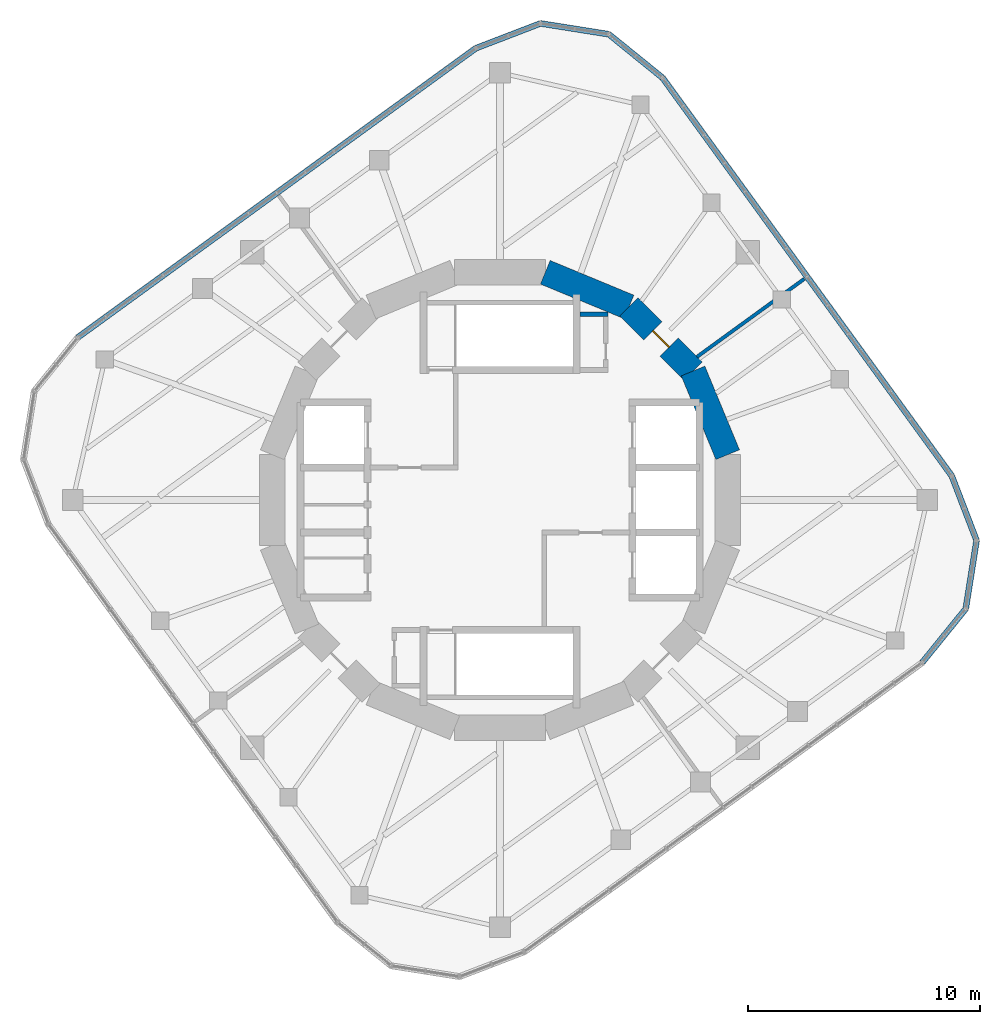
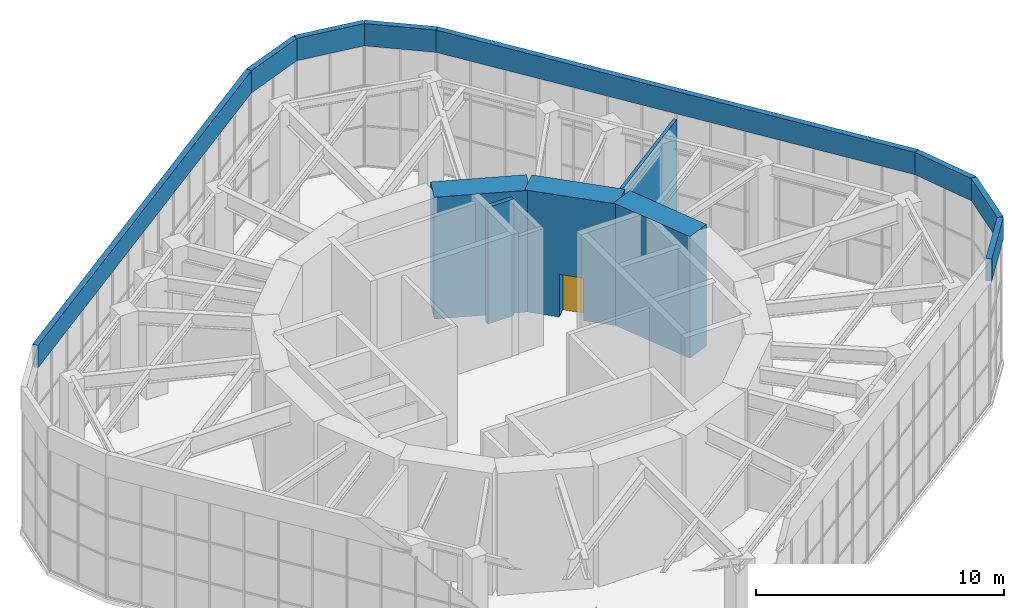
# One storey, part 16 of 17: 13 walls, 1 door, 1 opening.
"""IFC4 building model written with IfcOpenShell, lengths in metres."""

from ifc_helpers import new_model, si_unit, direction, frame, frame_2d, origin, place, context, subcontext, project, spatial, rectangle, extrude, material, layer, layer_set, type_object, element, fill, save


model = new_model("IFC4")

# Units and contexts
model_context = context("Model", 3, precision=1e-05, world=origin(), true_north=direction((0.0, 1.0)))
body_context = subcontext(model_context, "Body", "Model", "MODEL_VIEW")
ifc_project = project(units=[si_unit("LENGTHUNIT", "METRE"), si_unit("AREAUNIT", "SQUARE_METRE"), si_unit("VOLUMEUNIT", "CUBIC_METRE"), si_unit("PLANEANGLEUNIT", "RADIAN"), si_unit("MASSUNIT", "GRAM", prefix="KILO")], contexts=[model_context])

# Site, building, storey
site_placement = place(None, origin())
site = spatial("IfcSite", under=ifc_project, at=site_placement, CompositionType="ELEMENT")
building_placement = place(site_placement, origin())
building = spatial("IfcBuilding", under=site, at=building_placement, Name="Nakasero Lantern House", CompositionType="ELEMENT")
storey_placement = place(building_placement, frame((0.0, 0.0, 304.39990234375)))
storey = spatial("IfcBuildingStorey", under=building, at=storey_placement, Name="L74", CompositionType="ELEMENT", Elevation=304.39990234375)

# Wall
ifc_material_1 = material(Name="Concrete C50/60", Category="concrete")
ifc_layer_1 = layer(ifc_material_1, 1.10009765625)
ifc_layer_set_1 = layer_set([ifc_layer_1], Name="Core wall 1100")
wall_type_1 = type_object("IfcWallType", Name="Core wall 1100", PredefinedType="SHEAR", material=ifc_layer_set_1)
wall_1_placement = place(storey_placement, frame((9.807861328125, 1.950927734375, 0.0), z_axis=(0.0, 0.0, 1.0), x_axis=(-0.382690736062, 0.923876507187, 0.0)))
element("IfcWall", 1, at=wall_1_placement, inside=storey, type_object=wall_type_1, Name="Core wall L74 facet 1", PredefinedType="SHEAR", context=body_context, shape_type="SweptSolid", body=[
    extrude(rectangle(XDim=3.90185546875, YDim=1.10009765625, at=frame_2d((1.950927734375, 0.0))), origin(), (0.0, 0.0, 1.0), 6.0),
])

# Wall, opening, door
wall_2_placement = place(storey_placement, frame((8.314697265625, 5.5556640625, 0.0), z_axis=(0.0, 0.0, 1.0), x_axis=(-0.707106781187, 0.707106781187, 0.0)))
wall_2 = element("IfcWall", 2, at=wall_2_placement, inside=storey, type_object=wall_type_1, Name="Core wall L74 facet 2", PredefinedType="SHEAR", context=body_context, shape_type="SweptSolid", body=[
    extrude(rectangle(XDim=3.90185546875, YDim=1.10009765625, at=frame_2d((1.950927734375, 0.0))), origin(), (0.0, 0.0, 1.0), 6.0),
])
opening_placement = place(wall_2_placement, frame((1.450927734375, 0.0, 0.0)))
opening = element("IfcOpeningElement", 3, at=opening_placement, cuts=wall_2, Name="Opening D05", PredefinedType="OPENING", context=body_context, shape_type="SweptSolid", body=[
    extrude(rectangle(XDim=1.0, YDim=2.10009765625, at=frame_2d((0.5, 1.050048828125))), frame((0.0, 0.570068359375, 0.0), z_axis=(0.0, -1.0, 0.0), x_axis=(1.0, 0.0, 0.0)), (0.0, 0.0, 1.0), 1.14013671875),
])
ifc_material_2 = material(Name="Timber C24", Category="wood")
door_type = type_object("IfcDoorType", Name="Core door FD60S 1000", OperationType="SINGLE_SWING_LEFT", PredefinedType="DOOR", material=ifc_material_2)
door_placement = place(opening_placement, origin())
door = element("IfcDoor", 4, at=door_placement, inside=storey, type_object=door_type, Name="Door L74 D-CORE02", OperationType="SINGLE_SWING_LEFT", OverallHeight=2.10009765625, OverallWidth=1.0, PredefinedType="DOOR", context=body_context, shape_type="SweptSolid", body=[
    extrude(rectangle(XDim=1.0, YDim=2.10009765625, at=frame_2d((0.5, 1.050048828125))), frame((0.0, 0.02490234375, 0.0), z_axis=(0.0, -1.0, 0.0), x_axis=(1.0, 0.0, 0.0)), (0.0, 0.0, 1.0), 0.050048828125),
])
fill(opening, door)

# Walls
wall_3_placement = place(storey_placement, frame((5.5556640625, 8.314697265625, 0.0), z_axis=(0.0, 0.0, 1.0), x_axis=(-0.923876507187, 0.382690736062, 0.0)))
element("IfcWall", 5, at=wall_3_placement, inside=storey, type_object=wall_type_1, Name="Core wall L74 facet 3", PredefinedType="SHEAR", context=body_context, shape_type="SweptSolid", body=[
    extrude(rectangle(XDim=3.90185546875, YDim=1.10009765625, at=frame_2d((1.950927734375, 0.0))), origin(), (0.0, 0.0, 1.0), 6.0),
])
ifc_material_3 = material(Name="Blockwork", Category="masonry")
ifc_layer_2 = layer(ifc_material_3, 0.199951171875)
ifc_layer_set_2 = layer_set([ifc_layer_2], Name="Fire lobby wall 200")
wall_type_2 = type_object("IfcWallType", Name="Fire lobby wall 200", PredefinedType="PARTITIONING", material=ifc_layer_set_2)
wall_4_placement = place(storey_placement, frame((3.449951171875, 8.0, 0.0), z_axis=(0.0, 0.0, 1.0), x_axis=(1.0, 0.0, 0.0)))
element("IfcWall", 6, at=wall_4_placement, inside=storey, type_object=wall_type_2, Name="Fire lobby wall L74 W-RS1N", PredefinedType="PARTITIONING", context=body_context, shape_type="SweptSolid", body=[
    extrude(rectangle(XDim=1.199951171875, YDim=0.199951171875, at=frame_2d((0.60009765625, 0.0))), origin(), (0.0, 0.0, 1.0), 5.75),
])
ifc_material_4 = material(Name="Concrete C35/45", Category="concrete")
ifc_layer_3 = layer(ifc_material_4, 0.25)
ifc_layer_set_3 = layer_set([ifc_layer_3], Name="Parapet 250")
wall_type_3 = type_object("IfcWallType", Name="Parapet 250", PredefinedType="SOLIDWALL", material=ifc_layer_set_3)
wall_5_placement = place(storey_placement, frame((19.4580078125, 1.03466796875, 6.0), z_axis=(0.0, 0.0, 1.0), x_axis=(-0.587790233451, 0.809013375328, 0.0)))
element("IfcWall", 7, at=wall_5_placement, inside=storey, type_object=wall_type_3, Name="Roof parapet RP0S", PredefinedType="SOLIDWALL", context=body_context, shape_type="SweptSolid", body=[
    extrude(rectangle(XDim=21.199951171875, YDim=0.25, at=frame_2d((10.60009765625, 0.0))), origin(), (0.0, 0.0, 1.0), 1.10009765625),
])
wall_6_placement = place(storey_placement, frame((6.996826171875, 18.185791015625, 6.0), z_axis=(0.0, 0.0, 1.0), x_axis=(-0.777101588319, 0.629375183362, 0.0)))
element("IfcWall", 8, at=wall_6_placement, inside=storey, type_object=wall_type_3, Name="Roof parapet RP0C1", PredefinedType="SOLIDWALL", context=body_context, shape_type="SweptSolid", body=[
    extrude(rectangle(XDim=2.976318359375, YDim=0.25, at=frame_2d((1.48828125, 0.0))), origin(), (0.0, 0.0, 1.0), 1.10009765625),
])
wall_7_placement = place(storey_placement, frame((4.683837890625, 20.05908203125, 6.0), z_axis=(0.0, 0.0, 1.0), x_axis=(-0.987691704133, 0.156413227021, 0.0)))
element("IfcWall", 9, at=wall_7_placement, inside=storey, type_object=wall_type_3, Name="Roof parapet RP0C2", PredefinedType="SOLIDWALL", context=body_context, shape_type="SweptSolid", body=[
    extrude(rectangle(XDim=2.9765625, YDim=0.25, at=frame_2d((1.48828125, 0.0))), origin(), (0.0, 0.0, 1.0), 1.10009765625),
])
wall_8_placement = place(storey_placement, frame((1.743896484375, 20.524658203125, 6.0), z_axis=(0.0, 0.0, 1.0), x_axis=(-0.933573745966, -0.35838535244, 0.0)))
element("IfcWall", 10, at=wall_8_placement, inside=storey, type_object=wall_type_3, Name="Roof parapet RP0C3", PredefinedType="SOLIDWALL", context=body_context, shape_type="SweptSolid", body=[
    extrude(rectangle(XDim=2.976318359375, YDim=0.25, at=frame_2d((1.48828125, 0.0))), origin(), (0.0, 0.0, 1.0), 1.10009765625),
])
wall_9_placement = place(storey_placement, frame((-1.03466796875, 19.4580078125, 6.0), z_axis=(0.0, 0.0, 1.0), x_axis=(-0.809013375328, -0.587790233451, 0.0)))
element("IfcWall", 11, at=wall_9_placement, inside=storey, type_object=wall_type_3, Name="Roof parapet RP1S", PredefinedType="SOLIDWALL", context=body_context, shape_type="SweptSolid", body=[
    extrude(rectangle(XDim=21.199951171875, YDim=0.25, at=frame_2d((10.60009765625, 0.0))), origin(), (0.0, 0.0, 1.0), 1.10009765625),
])
wall_10_placement = place(storey_placement, frame((18.185791015625, -6.996826171875, 6.0), z_axis=(0.0, 0.0, 1.0), x_axis=(0.629375183362, 0.777101588319, 0.0)))
element("IfcWall", 12, at=wall_10_placement, inside=storey, type_object=wall_type_3, Name="Roof parapet RP3C1", PredefinedType="SOLIDWALL", context=body_context, shape_type="SweptSolid", body=[
    extrude(rectangle(XDim=2.976318359375, YDim=0.25, at=frame_2d((1.48828125, 0.0))), origin(), (0.0, 0.0, 1.0), 1.10009765625),
])
wall_11_placement = place(storey_placement, frame((20.05908203125, -4.683837890625, 6.0), z_axis=(0.0, 0.0, 1.0), x_axis=(0.156413227021, 0.987691704133, 0.0)))
element("IfcWall", 13, at=wall_11_placement, inside=storey, type_object=wall_type_3, Name="Roof parapet RP3C2", PredefinedType="SOLIDWALL", context=body_context, shape_type="SweptSolid", body=[
    extrude(rectangle(XDim=2.9765625, YDim=0.25, at=frame_2d((1.48828125, 0.0))), origin(), (0.0, 0.0, 1.0), 1.10009765625),
])
wall_12_placement = place(storey_placement, frame((20.524658203125, -1.743896484375, 6.0), z_axis=(0.0, 0.0, 1.0), x_axis=(-0.35838535244, 0.933573745966, 0.0)))
element("IfcWall", 14, at=wall_12_placement, inside=storey, type_object=wall_type_3, Name="Roof parapet RP3C3", PredefinedType="SOLIDWALL", context=body_context, shape_type="SweptSolid", body=[
    extrude(rectangle(XDim=2.976318359375, YDim=0.25, at=frame_2d((1.48828125, 0.0))), origin(), (0.0, 0.0, 1.0), 1.10009765625),
])
ifc_material_5 = material(Name="Blockwork", Category="masonry")
ifc_layer_4 = layer(ifc_material_5, 0.14990234375)
ifc_layer_set_4 = layer_set([ifc_layer_4], Name="Party wall 150")
wall_type_4 = type_object("IfcWallType", Name="Party wall 150", PredefinedType="PARTITIONING", material=ifc_layer_set_4)
wall_13_placement = place(storey_placement, frame((8.484130859375, 6.1640625, 0.0), z_axis=(0.0, 0.0, 1.0), x_axis=(0.809000261443, 0.587808282508, 0.0)))
element("IfcWall", 15, at=wall_13_placement, inside=storey, type_object=wall_type_4, Name="Party wall L74 PZ0", PredefinedType="PARTITIONING", context=body_context, shape_type="SweptSolid", body=[
    extrude(rectangle(XDim=5.712890625, YDim=0.14990234375, at=frame_2d((2.8564453125, 0.0))), origin(), (0.0, 0.0, 1.0), 5.75),
])

save(model, "model.ifc")
